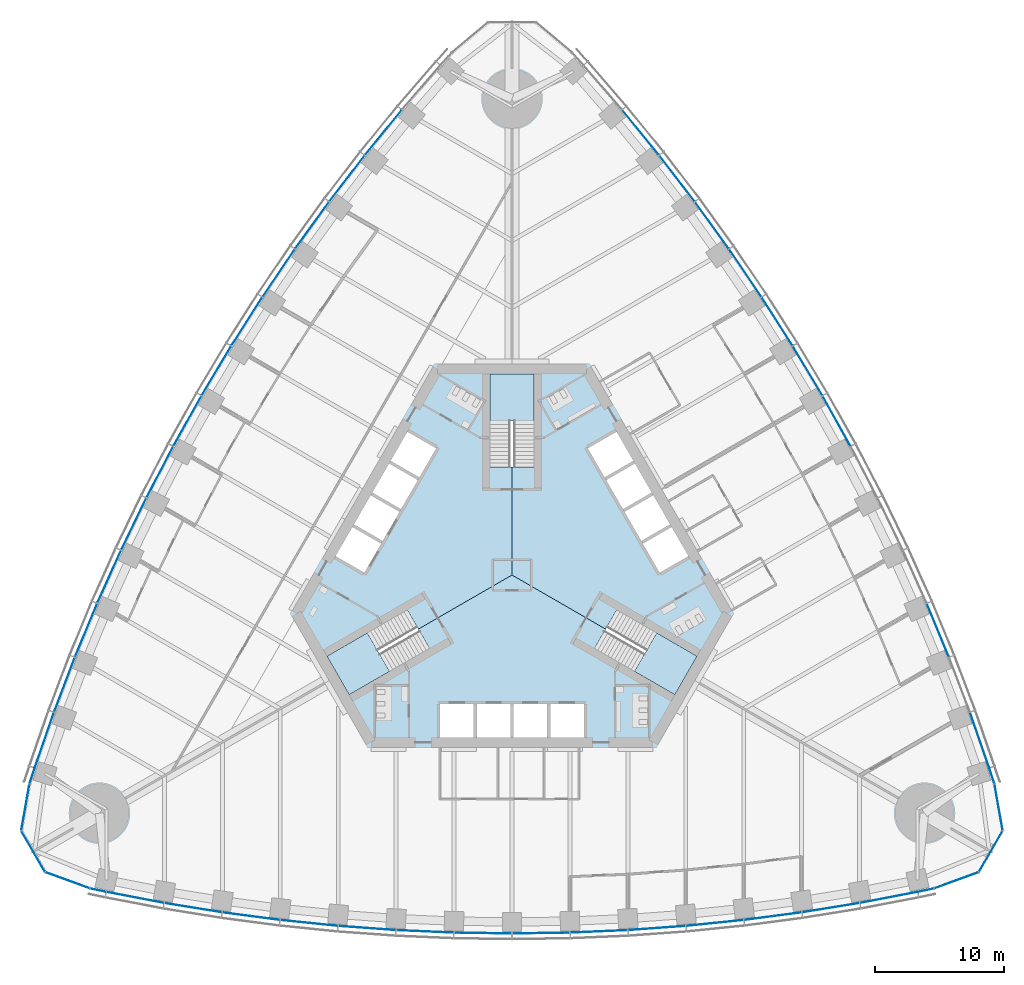
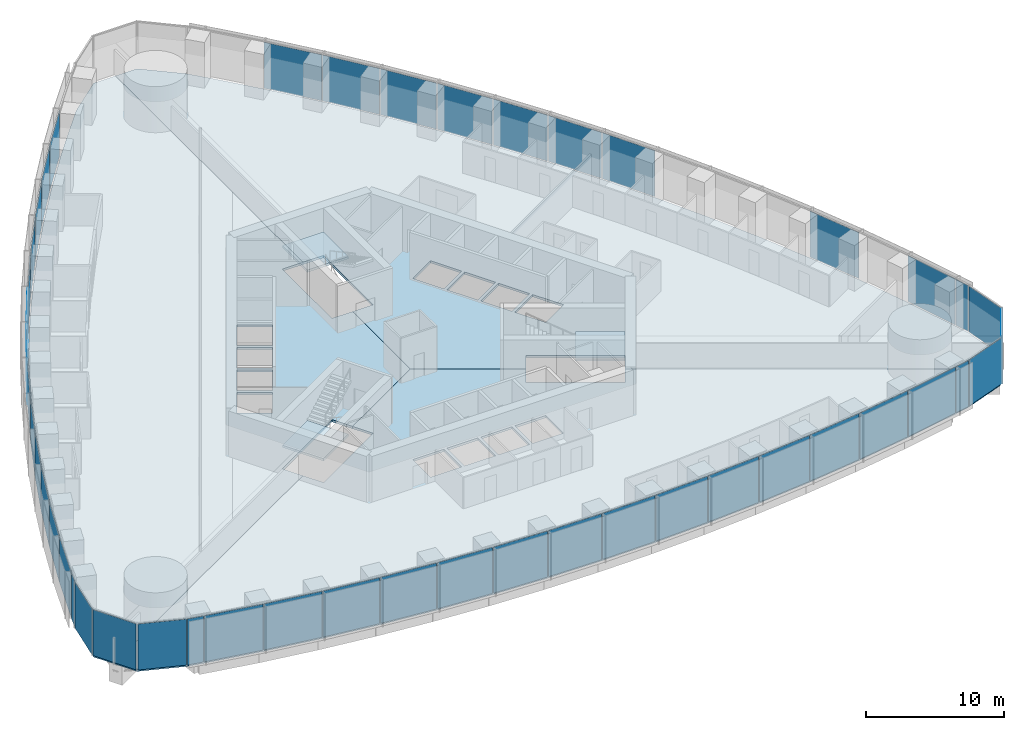
# One storey, part 8 of 18: 46 plates, 6 slabs, 8 elements without a shape of their own.
"""IFC4 building model written with IfcOpenShell, lengths in metres."""

import ifcopenshell
import ifcopenshell.guid

model = None  # the IFC model being written
_history = None  # IfcOwnerHistory: only IFC2X3 demands one
_inside = {}  # id of a spatial element -> (the spatial element, [elements in it])
_under = {}  # id of a project, library or spatial element -> (it, [spatial elements below it])
_declared = {}  # id of a project -> (the project, [libraries it declares])
_typed = {}  # id of a type object -> (the type object, [elements of that type])
_made_of = {}  # id of a material, layer set ... -> (it, [elements and type objects made of it])


def new_model(schema):
    """Start an empty IFC model of exactly this schema.

    Asked for "IFC4X3", IfcOpenShell would pick the latest addendum, in which some entities
    have other attributes; the version numbers below select the first issue.
    IFC2X3 requires an IfcOwnerHistory on every rooted entity: one is made here for all.
    """
    global model, _history
    if schema == "IFC4X3":
        model = ifcopenshell.file(schema_version=(4, 3, 0, 0))
    else:
        model = ifcopenshell.file(schema=schema)
    _inside.clear()
    _under.clear()
    _declared.clear()
    _typed.clear()
    _made_of.clear()
    _history = None
    if model.schema == "IFC2X3":
        org = make("IfcOrganization", Name="unknown")
        user = make(
            "IfcPersonAndOrganization",
            ThePerson=make("IfcPerson", FamilyName="unknown"),
            TheOrganization=org,
        )
        app = make(
            "IfcApplication",
            ApplicationDeveloper=org,
            Version="unknown",
            ApplicationFullName="unknown",
            ApplicationIdentifier="unknown",
        )
        _history = make(
            "IfcOwnerHistory",
            OwningUser=user,
            OwningApplication=app,
            ChangeAction="ADDED",
            CreationDate=0,
        )
    return model


def make(cls, **values):
    """One entity of the class cls with the attributes given. An attribute that is None is left unset."""
    return model.create_entity(
        cls, **{name: value for name, value in values.items() if value is not None}
    )


def rooted(cls, **values):
    """An entity with a GlobalId (a new one), such as an element, a storey or a relation."""
    return make(cls, GlobalId=ifcopenshell.guid.new(), OwnerHistory=_history, **values)


def si_unit(unit_type, name, prefix=None):
    """IfcSIUnit, for example si_unit("LENGTHUNIT", "METRE", prefix="MILLI")."""
    return make("IfcSIUnit", UnitType=unit_type, Prefix=prefix, Name=name)


def assignment(units):
    """IfcUnitAssignment: the units of a project."""
    return None if units is None else make("IfcUnitAssignment", Units=units)


def point(xyz):
    """IfcCartesianPoint."""
    return None if xyz is None else make("IfcCartesianPoint", Coordinates=xyz)


def direction(xyz):
    """IfcDirection."""
    return None if xyz is None else make("IfcDirection", DirectionRatios=xyz)


def frame(location, z_axis=None, x_axis=None):
    """IfcAxis2Placement3D, a coordinate frame: its origin and axes. An axis left out is left unset."""
    return make(
        "IfcAxis2Placement3D",
        Location=point(location),
        Axis=direction(z_axis),
        RefDirection=direction(x_axis),
    )


def frame_2d(location, x_axis=None):
    """IfcAxis2Placement2D, a coordinate frame in the plane: its origin and x axis."""
    return make(
        "IfcAxis2Placement2D", Location=point(location), RefDirection=direction(x_axis)
    )


def origin():
    """The frame at (0, 0, 0) with its axes left unset."""
    return frame((0.0, 0.0, 0.0))


def origin_2d():
    """The frame at (0, 0) in the plane with its x axis left unset."""
    return frame_2d((0.0, 0.0))


def place(relative_to, where):
    """IfcLocalPlacement: puts the frame where relative to a parent placement (None: the world)."""
    return make(
        "IfcLocalPlacement", PlacementRelTo=relative_to, RelativePlacement=where
    )


def context(
    kind, dimensions, precision=None, world=None, true_north=None, identifier=None
):
    """IfcGeometricRepresentationContext, for example the 3D "Model" context."""
    return make(
        "IfcGeometricRepresentationContext",
        ContextIdentifier=identifier,
        ContextType=kind,
        CoordinateSpaceDimension=dimensions,
        Precision=precision,
        WorldCoordinateSystem=world,
        TrueNorth=true_north,
    )


def subcontext(parent, identifier, kind, view, scale=None):
    """IfcGeometricRepresentationSubContext, for example "Body" below "Model"."""
    return make(
        "IfcGeometricRepresentationSubContext",
        ContextIdentifier=identifier,
        ContextType=kind,
        ParentContext=parent,
        TargetScale=scale,
        TargetView=view,
    )


def project(units=None, contexts=None):
    """IfcProject with its units and contexts."""
    return rooted(
        "IfcProject",
        Name="project",
        RepresentationContexts=contexts,
        UnitsInContext=assignment(units),
    )


def spatial(cls, under=None, at=None, **own):
    """A site, building, storey or space (cls), placed at a placement, below another one or the project."""
    s = rooted(cls, ObjectPlacement=at, **own)
    if under is not None:
        _under.setdefault(under.id(), (under, []))[1].append(s)
    return s


def polyline(points):
    """IfcPolyline through the points."""
    return make("IfcPolyline", Points=[point(p) for p in points])


def profile(cls, at=None, kind="AREA", **sizes):
    """A parametric profile (cls). Its sizes go by their IFC names, for example OverallWidth=200.0."""
    return make(cls, ProfileType=kind, Position=at, **sizes)


def rectangle(**sizes):
    """IfcRectangleProfileDef."""
    return profile("IfcRectangleProfileDef", **sizes)


def outline(outer, holes=None, kind="AREA"):
    """IfcArbitraryClosedProfileDef: a profile drawn as a closed curve; with holes, ...WithVoids."""
    if holes is None:
        return make("IfcArbitraryClosedProfileDef", ProfileType=kind, OuterCurve=outer)
    return make(
        "IfcArbitraryProfileDefWithVoids",
        ProfileType=kind,
        OuterCurve=outer,
        InnerCurves=holes,
    )


def extrude(swept, where, along, depth):
    """IfcExtrudedAreaSolid: the profile swept, set in the frame where, extruded along a direction by depth."""
    return make(
        "IfcExtrudedAreaSolid",
        SweptArea=swept,
        Position=where,
        ExtrudedDirection=direction(along),
        Depth=depth,
    )


def shape(context_of_items, identifier, shape_type, items):
    """IfcShapeRepresentation: the items that make up one representation, for example the "Body"."""
    return make(
        "IfcShapeRepresentation",
        ContextOfItems=context_of_items,
        RepresentationIdentifier=identifier,
        RepresentationType=shape_type,
        Items=items,
    )


def material(Name=None, Category=None):
    """IfcMaterial."""
    return make("IfcMaterial", Name=Name, Category=Category)


def layer(
    of_material, thickness, ventilated=None, Name=None, Category=None, Priority=None
):
    """IfcMaterialLayer: one layer of a wall or slab, of a material (None: an air gap)."""
    return make(
        "IfcMaterialLayer",
        Material=of_material,
        LayerThickness=thickness,
        IsVentilated=ventilated,
        Name=Name,
        Category=Category,
        Priority=Priority,
    )


def layer_set(layers, Name=None):
    """IfcMaterialLayerSet."""
    return make("IfcMaterialLayerSet", MaterialLayers=layers, LayerSetName=Name)


def made_of(thing, what):
    """Note that an element or type object is made of a material, layer set ...; save() writes the relation."""
    if what is not None:
        _made_of.setdefault(what.id(), (what, []))[1].append(thing)
    return thing


def type_object(cls, material=None, **own):
    """A type object (cls), such as IfcWallType, which elements share."""
    return made_of(rooted(cls, **own), material)


def element(
    cls,
    number,
    at=None,
    inside=None,
    cuts=None,
    type_object=None,
    material=None,
    context=None,
    identifier="Body",
    shape_type=None,
    held_by="IfcProductDefinitionShape",
    body=None,
    shapes=None,
    **own,
):
    """One element of the class cls, such as IfcWall. Its Tag is "e" and its number.

    at: its placement. inside: the storey or other place that contains it. cuts: it is an
    opening in that element (IfcRelVoidsElement). A single representation is given by context,
    identifier, shape_type and body (its items); several are given by shapes. held_by: the class
    of the entity that holds the representations. save() writes the other relations.
    """
    e = rooted(cls, Tag="e%d" % number, ObjectPlacement=at, **own)
    if body is not None:
        shapes = [shape(context, identifier, shape_type, body)]
    if shapes is not None:
        e.Representation = make(held_by, Representations=shapes)
    if inside is not None:
        _inside.setdefault(inside.id(), (inside, []))[1].append(e)
    if cuts is not None:
        rooted(
            "IfcRelVoidsElement", RelatingBuildingElement=cuts, RelatedOpeningElement=e
        )
    if type_object is not None:
        _typed.setdefault(type_object.id(), (type_object, []))[1].append(e)
    return made_of(e, material)


def aggregate(whole, parts):
    """IfcRelAggregates: a whole, such as a stair, and the parts it consists of."""
    return rooted("IfcRelAggregates", RelatingObject=whole, RelatedObjects=parts)


def save(model, path):
    """Write the relations noted so far, then the file.

    IfcRelAggregates (storeys below a building ...), IfcRelContainedInSpatialStructure (elements
    in a storey), IfcRelDefinesByType, IfcRelAssociatesMaterial and IfcRelDeclares: one each for
    every whole, place, type object, material and project.
    """
    for whole, parts in _under.values():
        aggregate(whole, parts)
    for where, things in _inside.values():
        rooted(
            "IfcRelContainedInSpatialStructure",
            RelatedElements=things,
            RelatingStructure=where,
        )
    for kind, things in _typed.values():
        rooted("IfcRelDefinesByType", RelatedObjects=things, RelatingType=kind)
    for what, things in _made_of.values():
        rooted("IfcRelAssociatesMaterial", RelatedObjects=things, RelatingMaterial=what)
    for by, libraries in _declared.values():
        rooted("IfcRelDeclares", RelatingContext=by, RelatedDefinitions=libraries)
    model.write(path)


model = new_model("IFC4")

# Units and contexts
model_context = context("Model", 3, precision=1e-05, world=origin(), true_north=direction((0.0, 1.0)))
body_context = subcontext(model_context, "Body", "Model", "MODEL_VIEW")
ifc_project = project(units=[si_unit("LENGTHUNIT", "METRE"), si_unit("AREAUNIT", "SQUARE_METRE"), si_unit("VOLUMEUNIT", "CUBIC_METRE"), si_unit("PLANEANGLEUNIT", "RADIAN"), si_unit("MASSUNIT", "GRAM", prefix="KILO")], contexts=[model_context])

# Site, building, storey
site_placement = place(None, origin())
site = spatial("IfcSite", under=ifc_project, at=site_placement, CompositionType="ELEMENT")
building_placement = place(site_placement, origin())
building = spatial("IfcBuilding", under=site, at=building_placement, Name="Trefoil Bronze Tower", CompositionType="ELEMENT")
storey_placement = place(building_placement, frame((0.0, 0.0, 50.10009765625)))
storey = spatial("IfcBuildingStorey", under=building, at=storey_placement, Name="L11", CompositionType="ELEMENT", Elevation=50.10009765625)

# Curtain wall, plates
ifc_material_1 = material(Name="Tinted solar-control glass", Category="glass")
curtain_wall_type_1 = type_object("IfcCurtainWallType", Name="Bronze office curtain wall", PredefinedType="USERDEFINED", material=ifc_material_1)
curtain_wall_1_placement = place(storey_placement, origin())
curtain_wall_1 = element("IfcCurtainWall", 1, at=curtain_wall_1_placement, inside=storey, type_object=curtain_wall_type_1, Name="CW-A L11 F1", ObjectType="CURTAIN WALL", PredefinedType="USERDEFINED")
ifc_material_2 = material(Name="Tinted solar-control glass", Category="glass")
ifc_layer_1 = layer(ifc_material_2, 0.030029296875)
ifc_layer_set_1 = layer_set([ifc_layer_1], Name="Bronze office curtain wall glass panel")
plate_type_1 = type_object("IfcPlateType", Name="Bronze office curtain wall glass panel", PredefinedType="CURTAIN_PANEL", material=ifc_layer_set_1)
plate_1_placement = place(storey_placement, frame((-32.15185546875, -24.480224609375, -0.000244140625), z_axis=(0.0, 0.0, 1.0), x_axis=(0.978302717041, -0.207180582657, 0.0)))
plate_1 = element("IfcPlate", 2, at=plate_1_placement, type_object=plate_type_1, Name="CW-A L11 F1 panel 1", PredefinedType="CURTAIN_PANEL", context=body_context, shape_type="SweptSolid", body=[
    extrude(rectangle(XDim=1.21044921875, YDim=0.030029296875, at=origin_2d()), origin(), (0.0, 0.0, 1.0), 4.080078125),
])
plate_2_placement = place(storey_placement, frame((-29.268798828125, -25.04638671875, -0.000244140625), z_axis=(0.0, 0.0, 1.0), x_axis=(0.982049823817, -0.188621694249, 0.0)))
plate_2 = element("IfcPlate", 3, at=plate_2_placement, type_object=plate_type_1, Name="CW-A L11 F1 panel 2", PredefinedType="CURTAIN_PANEL", context=body_context, shape_type="SweptSolid", body=[
    extrude(rectangle(XDim=4.502197265625, YDim=0.030029296875, at=origin_2d()), origin(), (0.0, 0.0, 1.0), 4.080078125),
])
plate_3_placement = place(storey_placement, frame((-24.765869140625, -25.8427734375, -0.000244140625), z_axis=(0.0, 0.0, 1.0), x_axis=(0.987181315145, -0.159602791421, 0.0)))
plate_3 = element("IfcPlate", 4, at=plate_3_placement, type_object=plate_type_1, Name="CW-A L11 F1 panel 3", PredefinedType="CURTAIN_PANEL", context=body_context, shape_type="SweptSolid", body=[
    extrude(rectangle(XDim=4.478515625, YDim=0.030029296875, at=origin_2d()), origin(), (0.0, 0.0, 1.0), 4.080078125),
])
plate_4_placement = place(storey_placement, frame((-20.262939453125, -26.50341796875, -0.000244140625), z_axis=(0.0, 0.0, 1.0), x_axis=(0.991437251591, -0.130583981243, 0.0)))
plate_4 = element("IfcPlate", 5, at=plate_4_placement, type_object=plate_type_1, Name="CW-A L11 F1 panel 4", PredefinedType="CURTAIN_PANEL", context=body_context, shape_type="SweptSolid", body=[
    extrude(rectangle(XDim=4.458984375, YDim=0.030029296875, at=origin_2d()), origin(), (0.0, 0.0, 1.0), 4.080078125),
])
plate_5_placement = place(storey_placement, frame((-15.76025390625, -27.02978515625, -0.000244140625), z_axis=(0.0, 0.0, 1.0), x_axis=(0.994828880293, -0.101565244717, 0.0)))
plate_5 = element("IfcPlate", 6, at=plate_5_placement, type_object=plate_type_1, Name="CW-A L11 F1 panel 5", PredefinedType="CURTAIN_PANEL", context=body_context, shape_type="SweptSolid", body=[
    extrude(rectangle(XDim=4.443359375, YDim=0.030029296875, at=origin_2d()), origin(), (0.0, 0.0, 1.0), 4.080078125),
])
plate_6_placement = place(storey_placement, frame((-11.25732421875, -27.42333984375, -0.000244140625), z_axis=(0.0, 0.0, 1.0), x_axis=(0.99736502647, -0.072546564177, 0.0)))
plate_6 = element("IfcPlate", 7, at=plate_6_placement, type_object=plate_type_1, Name="CW-A L11 F1 panel 6", PredefinedType="CURTAIN_PANEL", context=body_context, shape_type="SweptSolid", body=[
    extrude(rectangle(XDim=4.431884765625, YDim=0.030029296875, at=origin_2d()), origin(), (0.0, 0.0, 1.0), 4.080078125),
])
plate_7_placement = place(storey_placement, frame((-6.75439453125, -27.685302734375, -0.000244140625), z_axis=(0.0, 0.0, 1.0), x_axis=(0.999052210809, -0.043527922969, 0.0)))
plate_7 = element("IfcPlate", 8, at=plate_7_placement, type_object=plate_type_1, Name="CW-A L11 F1 panel 7", PredefinedType="CURTAIN_PANEL", context=body_context, shape_type="SweptSolid", body=[
    extrude(rectangle(XDim=4.42431640625, YDim=0.030029296875, at=origin_2d()), origin(), (0.0, 0.0, 1.0), 4.080078125),
])
plate_8_placement = place(storey_placement, frame((-2.25146484375, -27.816162109375, -0.000244140625), z_axis=(0.0, 0.0, 1.0), x_axis=(0.999894734493, -0.014509305083, 0.0)))
plate_8 = element("IfcPlate", 9, at=plate_8_placement, type_object=plate_type_1, Name="CW-A L11 F1 panel 8", PredefinedType="CURTAIN_PANEL", context=body_context, shape_type="SweptSolid", body=[
    extrude(rectangle(XDim=4.42041015625, YDim=0.030029296875, at=origin_2d()), origin(), (0.0, 0.0, 1.0), 4.080078125),
])
plate_9_placement = place(storey_placement, frame((2.25146484375, -27.816162109375, -0.000244140625), z_axis=(0.0, 0.0, 1.0), x_axis=(0.999894734493, 0.014509305083, 0.0)))
plate_9 = element("IfcPlate", 10, at=plate_9_placement, type_object=plate_type_1, Name="CW-A L11 F1 panel 9", PredefinedType="CURTAIN_PANEL", context=body_context, shape_type="SweptSolid", body=[
    extrude(rectangle(XDim=4.42041015625, YDim=0.030029296875, at=origin_2d()), origin(), (0.0, 0.0, 1.0), 4.080078125),
])
plate_10_placement = place(storey_placement, frame((6.75439453125, -27.685302734375, -0.000244140625), z_axis=(0.0, 0.0, 1.0), x_axis=(0.999052210809, 0.043527922969, 0.0)))
plate_10 = element("IfcPlate", 11, at=plate_10_placement, type_object=plate_type_1, Name="CW-A L11 F1 panel 10", PredefinedType="CURTAIN_PANEL", context=body_context, shape_type="SweptSolid", body=[
    extrude(rectangle(XDim=4.42431640625, YDim=0.030029296875, at=origin_2d()), origin(), (0.0, 0.0, 1.0), 4.080078125),
])
plate_11_placement = place(storey_placement, frame((11.25732421875, -27.42333984375, -0.000244140625), z_axis=(0.0, 0.0, 1.0), x_axis=(0.99736502647, 0.072546564177, 0.0)))
plate_11 = element("IfcPlate", 12, at=plate_11_placement, type_object=plate_type_1, Name="CW-A L11 F1 panel 11", PredefinedType="CURTAIN_PANEL", context=body_context, shape_type="SweptSolid", body=[
    extrude(rectangle(XDim=4.431884765625, YDim=0.030029296875, at=origin_2d()), origin(), (0.0, 0.0, 1.0), 4.080078125),
])
plate_12_placement = place(storey_placement, frame((15.76025390625, -27.02978515625, -0.000244140625), z_axis=(0.0, 0.0, 1.0), x_axis=(0.994828880293, 0.101565244717, 0.0)))
plate_12 = element("IfcPlate", 13, at=plate_12_placement, type_object=plate_type_1, Name="CW-A L11 F1 panel 12", PredefinedType="CURTAIN_PANEL", context=body_context, shape_type="SweptSolid", body=[
    extrude(rectangle(XDim=4.443359375, YDim=0.030029296875, at=origin_2d()), origin(), (0.0, 0.0, 1.0), 4.080078125),
])
plate_13_placement = place(storey_placement, frame((20.262939453125, -26.50341796875, -0.000244140625), z_axis=(0.0, 0.0, 1.0), x_axis=(0.991437251591, 0.130583981243, 0.0)))
plate_13 = element("IfcPlate", 14, at=plate_13_placement, type_object=plate_type_1, Name="CW-A L11 F1 panel 13", PredefinedType="CURTAIN_PANEL", context=body_context, shape_type="SweptSolid", body=[
    extrude(rectangle(XDim=4.458984375, YDim=0.030029296875, at=origin_2d()), origin(), (0.0, 0.0, 1.0), 4.080078125),
])
plate_14_placement = place(storey_placement, frame((24.765869140625, -25.8427734375, -0.000244140625), z_axis=(0.0, 0.0, 1.0), x_axis=(0.987181315145, 0.159602791421, 0.0)))
plate_14 = element("IfcPlate", 15, at=plate_14_placement, type_object=plate_type_1, Name="CW-A L11 F1 panel 14", PredefinedType="CURTAIN_PANEL", context=body_context, shape_type="SweptSolid", body=[
    extrude(rectangle(XDim=4.478515625, YDim=0.030029296875, at=origin_2d()), origin(), (0.0, 0.0, 1.0), 4.080078125),
])
plate_15_placement = place(storey_placement, frame((29.268798828125, -25.04638671875, -0.000244140625), z_axis=(0.0, 0.0, 1.0), x_axis=(0.982049823817, 0.188621694249, 0.0)))
plate_15 = element("IfcPlate", 16, at=plate_15_placement, type_object=plate_type_1, Name="CW-A L11 F1 panel 15", PredefinedType="CURTAIN_PANEL", context=body_context, shape_type="SweptSolid", body=[
    extrude(rectangle(XDim=4.502197265625, YDim=0.030029296875, at=origin_2d()), origin(), (0.0, 0.0, 1.0), 4.080078125),
])
plate_16_placement = place(storey_placement, frame((32.15185546875, -24.480224609375, -0.000244140625), z_axis=(0.0, 0.0, 1.0), x_axis=(0.978302717041, 0.207180582657, 0.0)))
plate_16 = element("IfcPlate", 17, at=plate_16_placement, type_object=plate_type_1, Name="CW-A L11 F1 panel 16", PredefinedType="CURTAIN_PANEL", context=body_context, shape_type="SweptSolid", body=[
    extrude(rectangle(XDim=1.21044921875, YDim=0.030029296875, at=origin_2d()), origin(), (0.0, 0.0, 1.0), 4.080078125),
])
aggregate(curtain_wall_1, [plate_1, plate_2, plate_3, plate_4, plate_5, plate_6, plate_7, plate_8, plate_9, plate_10, plate_11, plate_12, plate_13, plate_14, plate_15, plate_16])

curtain_wall_2_placement = place(storey_placement, origin())
curtain_wall_2 = element("IfcCurtainWall", 18, at=curtain_wall_2_placement, inside=storey, type_object=curtain_wall_type_1, Name="CW-A L11 F2", ObjectType="CURTAIN WALL", PredefinedType="USERDEFINED")
plate_17_placement = place(storey_placement, frame((37.2763671875, -15.604248046875, -0.000244140625), z_axis=(0.0, 0.0, 1.0), x_axis=(-0.309727710769, 0.950825296877, 0.0)))
plate_17 = element("IfcPlate", 19, at=plate_17_placement, type_object=plate_type_1, Name="CW-A L11 F2 panel 1", PredefinedType="CURTAIN_PANEL", context=body_context, shape_type="SweptSolid", body=[
    extrude(rectangle(XDim=1.21044921875, YDim=0.030029296875, at=origin_2d()), origin(), (0.0, 0.0, 1.0), 4.080078125),
])
plate_18_placement = place(storey_placement, frame((36.3251953125, -12.824462890625, -0.000244140625), z_axis=(0.0, 0.0, 1.0), x_axis=(-0.327673732984, 0.944790942332, 0.0)))
plate_18 = element("IfcPlate", 20, at=plate_18_placement, type_object=plate_type_1, Name="CW-A L11 F2 panel 2", PredefinedType="CURTAIN_PANEL", context=body_context, shape_type="SweptSolid", body=[
    extrude(rectangle(XDim=4.502197265625, YDim=0.030029296875, at=origin_2d()), origin(), (0.0, 0.0, 1.0), 4.080078125),
])
plate_19_placement = place(storey_placement, frame((33.084228515625, -4.296630859375, -0.000244140625), z_axis=(0.0, 0.0, 1.0), x_axis=(-0.382629580712, 0.923901836758, 0.0)))
plate_19 = element("IfcPlate", 21, at=plate_19_placement, type_object=plate_type_1, Name="CW-A L11 F2 panel 4", PredefinedType="CURTAIN_PANEL", context=body_context, shape_type="SweptSolid", body=[
    extrude(rectangle(XDim=4.458984375, YDim=0.030029296875, at=origin_2d()), origin(), (0.0, 0.0, 1.0), 4.080078125),
])
plate_20_placement = place(storey_placement, frame((25.215087890625, 11.958251953125, -0.000244140625), z_axis=(0.0, 0.0, 1.0), x_axis=(-0.487381940453, 0.873188893722, 0.0)))
plate_20 = element("IfcPlate", 22, at=plate_20_placement, type_object=plate_type_1, Name="CW-A L11 F2 panel 8", PredefinedType="CURTAIN_PANEL", context=body_context, shape_type="SweptSolid", body=[
    extrude(rectangle(XDim=4.42041015625, YDim=0.030029296875, at=origin_2d()), origin(), (0.0, 0.0, 1.0), 4.080078125),
])
plate_21_placement = place(storey_placement, frame((22.963623046875, 15.85791015625, -0.000244140625), z_axis=(0.0, 0.0, 1.0), x_axis=(-0.51251279404, 0.858679588639, 0.0)))
plate_21 = element("IfcPlate", 23, at=plate_21_placement, type_object=plate_type_1, Name="CW-A L11 F2 panel 9", PredefinedType="CURTAIN_PANEL", context=body_context, shape_type="SweptSolid", body=[
    extrude(rectangle(XDim=4.42041015625, YDim=0.030029296875, at=origin_2d()), origin(), (0.0, 0.0, 1.0), 4.080078125),
])
plate_22_placement = place(storey_placement, frame((20.598876953125, 19.692138671875, -0.000244140625), z_axis=(0.0, 0.0, 1.0), x_axis=(-0.537222392469, 0.843440632783, 0.0)))
plate_22 = element("IfcPlate", 24, at=plate_22_placement, type_object=plate_type_1, Name="CW-A L11 F2 panel 10", PredefinedType="CURTAIN_PANEL", context=body_context, shape_type="SweptSolid", body=[
    extrude(rectangle(XDim=4.42431640625, YDim=0.030029296875, at=origin_2d()), origin(), (0.0, 0.0, 1.0), 4.080078125),
])
plate_23_placement = place(storey_placement, frame((18.120849609375, 23.460693359375, -0.000244140625), z_axis=(0.0, 0.0, 1.0), x_axis=(-0.56150968077, 0.827470167681, 0.0)))
plate_23 = element("IfcPlate", 25, at=plate_23_placement, type_object=plate_type_1, Name="CW-A L11 F2 panel 11", PredefinedType="CURTAIN_PANEL", context=body_context, shape_type="SweptSolid", body=[
    extrude(rectangle(XDim=4.431884765625, YDim=0.030029296875, at=origin_2d()), origin(), (0.0, 0.0, 1.0), 4.080078125),
])
plate_24_placement = place(storey_placement, frame((15.5283203125, 27.16357421875, -0.000244140625), z_axis=(0.0, 0.0, 1.0), x_axis=(-0.585372522213, 0.810764460394, 0.0)))
plate_24 = element("IfcPlate", 26, at=plate_24_placement, type_object=plate_type_1, Name="CW-A L11 F2 panel 12", PredefinedType="CURTAIN_PANEL", context=body_context, shape_type="SweptSolid", body=[
    extrude(rectangle(XDim=4.443359375, YDim=0.030029296875, at=origin_2d()), origin(), (0.0, 0.0, 1.0), 4.080078125),
])
plate_25_placement = place(storey_placement, frame((12.821044921875, 30.800048828125, -0.000244140625), z_axis=(0.0, 0.0, 1.0), x_axis=(-0.608807670879, 0.793317855515, 0.0)))
plate_25 = element("IfcPlate", 27, at=plate_25_placement, type_object=plate_type_1, Name="CW-A L11 F2 panel 13", PredefinedType="CURTAIN_PANEL", context=body_context, shape_type="SweptSolid", body=[
    extrude(rectangle(XDim=4.458984375, YDim=0.030029296875, at=origin_2d()), origin(), (0.0, 0.0, 1.0), 4.080078125),
])
plate_26_placement = place(storey_placement, frame((9.99755859375, 34.369384765625, -0.000244140625), z_axis=(0.0, 0.0, 1.0), x_axis=(-0.631810729457, 0.775122701346, 0.0)))
plate_26 = element("IfcPlate", 28, at=plate_26_placement, type_object=plate_type_1, Name="CW-A L11 F2 panel 14", PredefinedType="CURTAIN_PANEL", context=body_context, shape_type="SweptSolid", body=[
    extrude(rectangle(XDim=4.478515625, YDim=0.030029296875, at=origin_2d()), origin(), (0.0, 0.0, 1.0), 4.080078125),
])
aggregate(curtain_wall_2, [plate_17, plate_18, plate_19, plate_20, plate_21, plate_22, plate_23, plate_24, plate_25, plate_26])

curtain_wall_3_placement = place(storey_placement, origin())
curtain_wall_3 = element("IfcCurtainWall", 29, at=curtain_wall_3_placement, inside=storey, type_object=curtain_wall_type_1, Name="CW-A L11 F3", ObjectType="CURTAIN WALL", PredefinedType="USERDEFINED")
plate_27_placement = place(storey_placement, frame((-9.99755859375, 34.369384765625, -0.000244140625), z_axis=(0.0, 0.0, 1.0), x_axis=(-0.631810729457, -0.775122701346, 0.0)))
plate_27 = element("IfcPlate", 30, at=plate_27_placement, type_object=plate_type_1, Name="CW-A L11 F3 panel 3", PredefinedType="CURTAIN_PANEL", context=body_context, shape_type="SweptSolid", body=[
    extrude(rectangle(XDim=4.478515625, YDim=0.030029296875, at=origin_2d()), origin(), (0.0, 0.0, 1.0), 4.080078125),
])
plate_28_placement = place(storey_placement, frame((-12.821044921875, 30.800048828125, -0.000244140625), z_axis=(0.0, 0.0, 1.0), x_axis=(-0.608807670879, -0.793317855515, 0.0)))
plate_28 = element("IfcPlate", 31, at=plate_28_placement, type_object=plate_type_1, Name="CW-A L11 F3 panel 4", PredefinedType="CURTAIN_PANEL", context=body_context, shape_type="SweptSolid", body=[
    extrude(rectangle(XDim=4.458984375, YDim=0.030029296875, at=origin_2d()), origin(), (0.0, 0.0, 1.0), 4.080078125),
])
plate_29_placement = place(storey_placement, frame((-15.5283203125, 27.16357421875, -0.000244140625), z_axis=(0.0, 0.0, 1.0), x_axis=(-0.585372522213, -0.810764460394, 0.0)))
plate_29 = element("IfcPlate", 32, at=plate_29_placement, type_object=plate_type_1, Name="CW-A L11 F3 panel 5", PredefinedType="CURTAIN_PANEL", context=body_context, shape_type="SweptSolid", body=[
    extrude(rectangle(XDim=4.443359375, YDim=0.030029296875, at=origin_2d()), origin(), (0.0, 0.0, 1.0), 4.080078125),
])
plate_30_placement = place(storey_placement, frame((-18.120849609375, 23.460693359375, -0.000244140625), z_axis=(0.0, 0.0, 1.0), x_axis=(-0.56150968077, -0.827470167681, 0.0)))
plate_30 = element("IfcPlate", 33, at=plate_30_placement, type_object=plate_type_1, Name="CW-A L11 F3 panel 6", PredefinedType="CURTAIN_PANEL", context=body_context, shape_type="SweptSolid", body=[
    extrude(rectangle(XDim=4.431884765625, YDim=0.030029296875, at=origin_2d()), origin(), (0.0, 0.0, 1.0), 4.080078125),
])
plate_31_placement = place(storey_placement, frame((-20.598876953125, 19.692138671875, -0.000244140625), z_axis=(0.0, 0.0, 1.0), x_axis=(-0.537222392469, -0.843440632783, 0.0)))
plate_31 = element("IfcPlate", 34, at=plate_31_placement, type_object=plate_type_1, Name="CW-A L11 F3 panel 7", PredefinedType="CURTAIN_PANEL", context=body_context, shape_type="SweptSolid", body=[
    extrude(rectangle(XDim=4.42431640625, YDim=0.030029296875, at=origin_2d()), origin(), (0.0, 0.0, 1.0), 4.080078125),
])
plate_32_placement = place(storey_placement, frame((-22.963623046875, 15.85791015625, -0.000244140625), z_axis=(0.0, 0.0, 1.0), x_axis=(-0.51251279404, -0.858679588639, 0.0)))
plate_32 = element("IfcPlate", 35, at=plate_32_placement, type_object=plate_type_1, Name="CW-A L11 F3 panel 8", PredefinedType="CURTAIN_PANEL", context=body_context, shape_type="SweptSolid", body=[
    extrude(rectangle(XDim=4.42041015625, YDim=0.030029296875, at=origin_2d()), origin(), (0.0, 0.0, 1.0), 4.080078125),
])
plate_33_placement = place(storey_placement, frame((-25.215087890625, 11.958251953125, -0.000244140625), z_axis=(0.0, 0.0, 1.0), x_axis=(-0.487381940453, -0.873188893722, 0.0)))
plate_33 = element("IfcPlate", 36, at=plate_33_placement, type_object=plate_type_1, Name="CW-A L11 F3 panel 9", PredefinedType="CURTAIN_PANEL", context=body_context, shape_type="SweptSolid", body=[
    extrude(rectangle(XDim=4.42041015625, YDim=0.030029296875, at=origin_2d()), origin(), (0.0, 0.0, 1.0), 4.080078125),
])
plate_34_placement = place(storey_placement, frame((-27.353271484375, 7.9931640625, -0.000244140625), z_axis=(0.0, 0.0, 1.0), x_axis=(-0.46182981834, -0.886968555752, 0.0)))
plate_34 = element("IfcPlate", 37, at=plate_34_placement, type_object=plate_type_1, Name="CW-A L11 F3 panel 10", PredefinedType="CURTAIN_PANEL", context=body_context, shape_type="SweptSolid", body=[
    extrude(rectangle(XDim=4.42431640625, YDim=0.030029296875, at=origin_2d()), origin(), (0.0, 0.0, 1.0), 4.080078125),
])
plate_35_placement = place(storey_placement, frame((-29.3779296875, 3.962646484375, -0.000244140625), z_axis=(0.0, 0.0, 1.0), x_axis=(-0.4358553457, -0.900016731858, 0.0)))
plate_35 = element("IfcPlate", 38, at=plate_35_placement, type_object=plate_type_1, Name="CW-A L11 F3 panel 11", PredefinedType="CURTAIN_PANEL", context=body_context, shape_type="SweptSolid", body=[
    extrude(rectangle(XDim=4.431884765625, YDim=0.030029296875, at=origin_2d()), origin(), (0.0, 0.0, 1.0), 4.080078125),
])
plate_36_placement = place(storey_placement, frame((-31.28857421875, -0.1337890625, -0.000244140625), z_axis=(0.0, 0.0, 1.0), x_axis=(-0.40945635808, -0.912329705111, 0.0)))
plate_36 = element("IfcPlate", 39, at=plate_36_placement, type_object=plate_type_1, Name="CW-A L11 F3 panel 12", PredefinedType="CURTAIN_PANEL", context=body_context, shape_type="SweptSolid", body=[
    extrude(rectangle(XDim=4.443359375, YDim=0.030029296875, at=origin_2d()), origin(), (0.0, 0.0, 1.0), 4.080078125),
])
plate_37_placement = place(storey_placement, frame((-33.084228515625, -4.296630859375, -0.000244140625), z_axis=(0.0, 0.0, 1.0), x_axis=(-0.382629580712, -0.923901836758, 0.0)))
plate_37 = element("IfcPlate", 40, at=plate_37_placement, type_object=plate_type_1, Name="CW-A L11 F3 panel 13", PredefinedType="CURTAIN_PANEL", context=body_context, shape_type="SweptSolid", body=[
    extrude(rectangle(XDim=4.458984375, YDim=0.030029296875, at=origin_2d()), origin(), (0.0, 0.0, 1.0), 4.080078125),
])
plate_38_placement = place(storey_placement, frame((-34.763427734375, -8.526611328125, -0.000244140625), z_axis=(0.0, 0.0, 1.0), x_axis=(-0.355370585687, -0.934725492767, 0.0)))
plate_38 = element("IfcPlate", 41, at=plate_38_placement, type_object=plate_type_1, Name="CW-A L11 F3 panel 14", PredefinedType="CURTAIN_PANEL", context=body_context, shape_type="SweptSolid", body=[
    extrude(rectangle(XDim=4.478515625, YDim=0.030029296875, at=origin_2d()), origin(), (0.0, 0.0, 1.0), 4.080078125),
])
plate_39_placement = place(storey_placement, frame((-36.3251953125, -12.824462890625, -0.000244140625), z_axis=(0.0, 0.0, 1.0), x_axis=(-0.327673732984, -0.944790942332, 0.0)))
plate_39 = element("IfcPlate", 42, at=plate_39_placement, type_object=plate_type_1, Name="CW-A L11 F3 panel 15", PredefinedType="CURTAIN_PANEL", context=body_context, shape_type="SweptSolid", body=[
    extrude(rectangle(XDim=4.502197265625, YDim=0.030029296875, at=origin_2d()), origin(), (0.0, 0.0, 1.0), 4.080078125),
])
plate_40_placement = place(storey_placement, frame((-37.2763671875, -15.604248046875, -0.000244140625), z_axis=(0.0, 0.0, 1.0), x_axis=(-0.309727710769, -0.950825296877, 0.0)))
plate_40 = element("IfcPlate", 43, at=plate_40_placement, type_object=plate_type_1, Name="CW-A L11 F3 panel 16", PredefinedType="CURTAIN_PANEL", context=body_context, shape_type="SweptSolid", body=[
    extrude(rectangle(XDim=1.21044921875, YDim=0.030029296875, at=origin_2d()), origin(), (0.0, 0.0, 1.0), 4.080078125),
])
aggregate(curtain_wall_3, [plate_27, plate_28, plate_29, plate_30, plate_31, plate_32, plate_33, plate_34, plate_35, plate_36, plate_37, plate_38, plate_39, plate_40])

ifc_material_3 = material(Name="Tinted solar-control glass", Category="glass")
curtain_wall_type_2 = type_object("IfcCurtainWallType", Name="Bronze rounded corner curtain wall", PredefinedType="USERDEFINED", material=ifc_material_3)
curtain_wall_4_placement = place(storey_placement, origin())
curtain_wall_4 = element("IfcCurtainWall", 44, at=curtain_wall_4_placement, inside=storey, type_object=curtain_wall_type_2, Name="CW-B L11 K1", ObjectType="CURTAIN WALL", PredefinedType="USERDEFINED")
ifc_material_4 = material(Name="Tinted solar-control glass", Category="glass")
ifc_layer_2 = layer(ifc_material_4, 0.030029296875)
ifc_layer_set_2 = layer_set([ifc_layer_2], Name="Bronze rounded corner curtain wall glass panel")
plate_type_2 = type_object("IfcPlateType", Name="Bronze rounded corner curtain wall glass panel", PredefinedType="CURTAIN_PANEL", material=ifc_layer_set_2)
plate_41_placement = place(storey_placement, frame((34.5107421875, -23.71875, -0.000244140625), z_axis=(0.0, 0.0, 1.0), x_axis=(0.939692620786, 0.342020143326, 0.0)))
plate_41 = element("IfcPlate", 45, at=plate_41_placement, type_object=plate_type_2, Name="CW-B L11 K1 panel 1", PredefinedType="CURTAIN_PANEL", context=body_context, shape_type="SweptSolid", body=[
    extrude(rectangle(XDim=3.588134765625, YDim=0.030029296875, at=origin_2d()), origin(), (0.0, 0.0, 1.0), 4.080078125),
])
plate_42_placement = place(storey_placement, frame((37.189208984375, -21.47119140625, -0.000244140625), z_axis=(0.0, 0.0, 1.0), x_axis=(0.5, 0.866025403784, 0.0)))
plate_42 = element("IfcPlate", 46, at=plate_42_placement, type_object=plate_type_2, Name="CW-B L11 K1 panel 2", PredefinedType="CURTAIN_PANEL", context=body_context, shape_type="SweptSolid", body=[
    extrude(rectangle(XDim=3.588134765625, YDim=0.030029296875, at=origin_2d()), origin(), (0.0, 0.0, 1.0), 4.080078125),
])
plate_43_placement = place(storey_placement, frame((37.79638671875, -18.02783203125, -0.000244140625), z_axis=(0.0, 0.0, 1.0), x_axis=(-0.173648177667, 0.984807753012, 0.0)))
plate_43 = element("IfcPlate", 47, at=plate_43_placement, type_object=plate_type_2, Name="CW-B L11 K1 panel 3", PredefinedType="CURTAIN_PANEL", context=body_context, shape_type="SweptSolid", body=[
    extrude(rectangle(XDim=3.588134765625, YDim=0.030029296875, at=origin_2d()), origin(), (0.0, 0.0, 1.0), 4.080078125),
])
aggregate(curtain_wall_4, [plate_41, plate_42, plate_43])

curtain_wall_5_placement = place(storey_placement, origin())
curtain_wall_5 = element("IfcCurtainWall", 48, at=curtain_wall_5_placement, inside=storey, type_object=curtain_wall_type_2, Name="CW-B L11 K3", ObjectType="CURTAIN WALL", PredefinedType="USERDEFINED")
plate_44_placement = place(storey_placement, frame((-37.79638671875, -18.02783203125, -0.000244140625), z_axis=(0.0, 0.0, 1.0), x_axis=(-0.173648177667, -0.984807753012, 0.0)))
plate_44 = element("IfcPlate", 49, at=plate_44_placement, type_object=plate_type_2, Name="CW-B L11 K3 panel 1", PredefinedType="CURTAIN_PANEL", context=body_context, shape_type="SweptSolid", body=[
    extrude(rectangle(XDim=3.588134765625, YDim=0.030029296875, at=origin_2d()), origin(), (0.0, 0.0, 1.0), 4.080078125),
])
plate_45_placement = place(storey_placement, frame((-37.189208984375, -21.47119140625, -0.000244140625), z_axis=(0.0, 0.0, 1.0), x_axis=(0.5, -0.866025403784, 0.0)))
plate_45 = element("IfcPlate", 50, at=plate_45_placement, type_object=plate_type_2, Name="CW-B L11 K3 panel 2", PredefinedType="CURTAIN_PANEL", context=body_context, shape_type="SweptSolid", body=[
    extrude(rectangle(XDim=3.588134765625, YDim=0.030029296875, at=origin_2d()), origin(), (0.0, 0.0, 1.0), 4.080078125),
])
plate_46_placement = place(storey_placement, frame((-34.5107421875, -23.71875, -0.000244140625), z_axis=(0.0, 0.0, 1.0), x_axis=(0.939692620786, -0.342020143326, 0.0)))
plate_46 = element("IfcPlate", 51, at=plate_46_placement, type_object=plate_type_2, Name="CW-B L11 K3 panel 3", PredefinedType="CURTAIN_PANEL", context=body_context, shape_type="SweptSolid", body=[
    extrude(rectangle(XDim=3.588134765625, YDim=0.030029296875, at=origin_2d()), origin(), (0.0, 0.0, 1.0), 4.080078125),
])
aggregate(curtain_wall_5, [plate_44, plate_45, plate_46])

# Slabs
ifc_material_5 = material(Name="Concrete B30", Category="concrete")
ifc_layer_3 = layer(ifc_material_5, 0.199951171875)
ifc_layer_set_3 = layer_set([ifc_layer_3], Name="Floor slab 200")
slab_type_1 = type_object("IfcSlabType", Name="Floor slab 200", PredefinedType="FLOOR", material=ifc_layer_set_3)
slab_1_placement = place(storey_placement, frame((0.0, 0.0, -0.2001953125)))
element("IfcSlab", 52, at=slab_1_placement, inside=storey, type_object=slab_type_1, Name="Floor slab L11 face 1", PredefinedType="FLOOR", context=body_context, shape_type="SweptSolid", body=[
    extrude(outline(polyline([(27.0, -25.38037109375), (22.5, -26.10791015625), (18.0, -26.70068359375), (13.5, -27.159912109375), (9.0, -27.4873046875), (4.5, -27.683349609375), (0.0, -27.748779296875), (-4.5, -27.683349609375), (-9.0, -27.4873046875), (-13.5, -27.159912109375), (-18.0, -26.70068359375), (-22.5, -26.10791015625), (-27.0, -25.38037109375), (-31.5, -24.51611328125), (-32.762451171875, -24.248779296875), (-36.190673828125, -23.0009765625), (-37.1025390625, -21.421142578125), (-13.510009765625, -7.800048828125), (-12.6474609375, -9.2939453125), (-6.412109375, -5.69384765625), (-7.274658203125, -4.199951171875), (0.0, 0.0), (7.274658203125, -4.199951171875), (6.412109375, -5.69384765625), (12.6474609375, -9.2939453125), (13.510009765625, -7.800048828125), (37.1025390625, -21.421142578125), (36.190673828125, -23.0009765625), (32.762451171875, -24.248779296875), (31.5, -24.51611328125), (27.0, -25.38037109375)]), holes=[polyline([(-5.574951171875, -10.02490234375), (-2.97509765625, -10.02490234375), (-2.97509765625, -12.60009765625), (-5.574951171875, -12.60009765625), (-5.574951171875, -10.02490234375)]), polyline([(-2.72509765625, -10.02490234375), (-0.125, -10.02490234375), (-0.125, -12.60009765625), (-2.72509765625, -12.60009765625), (-2.72509765625, -10.02490234375)]), polyline([(0.125, -10.02490234375), (2.72509765625, -10.02490234375), (2.72509765625, -12.60009765625), (0.125, -12.60009765625), (0.125, -10.02490234375)]), polyline([(2.97509765625, -10.02490234375), (5.574951171875, -10.02490234375), (5.574951171875, -12.60009765625), (2.97509765625, -12.60009765625), (2.97509765625, -10.02490234375)])]), origin(), (0.0, 0.0, 1.0), 0.2001953125),
])
slab_2_placement = place(storey_placement, frame((0.0, 0.0, -0.2001953125)))
element("IfcSlab", 53, at=slab_2_placement, inside=storey, type_object=slab_type_1, Name="Floor slab L11 face 2", PredefinedType="FLOOR", context=body_context, shape_type="SweptSolid", body=[
    extrude(outline(polyline([(8.47998046875, 36.07275390625), (11.360107421875, 32.53955078125), (14.123291015625, 28.938720703125), (16.771240234375, 25.271240234375), (19.3046875, 21.537841796875), (21.724609375, 17.73876953125), (24.031005859375, 13.874267578125), (26.224609375, 9.944580078125), (28.3046875, 5.949462890625), (30.271240234375, 1.888671875), (32.123291015625, -2.238037109375), (33.860107421875, -6.431640625), (35.47998046875, -10.6923828125), (36.9814453125, -15.021728515625), (37.381103515625, -16.248779296875), (38.0146484375, -19.841552734375), (37.1025390625, -21.421142578125), (13.510009765625, -7.800048828125), (14.37255859375, -6.30615234375), (8.13720703125, -2.7060546875), (7.274658203125, -4.199951171875), (0.0, 0.0), (0.0, 8.39990234375), (1.72509765625, 8.39990234375), (1.72509765625, 15.60009765625), (0.0, 15.60009765625), (0.0, 42.842529296875), (1.82421875, 42.842529296875), (4.618896484375, 40.497314453125), (5.4814453125, 39.537841796875), (8.47998046875, 36.07275390625)]), holes=[polyline([(11.469482421875, 0.184326171875), (10.16943359375, 2.43603515625), (12.3994140625, 3.7236328125), (13.699462890625, 1.471923828125), (11.469482421875, 0.184326171875)]), polyline([(10.04443359375, 2.652587890625), (8.744384765625, 4.904296875), (10.974365234375, 6.191650390625), (12.2744140625, 3.940185546875), (10.04443359375, 2.652587890625)]), polyline([(8.619384765625, 5.120849609375), (7.3193359375, 7.372314453125), (9.54931640625, 8.659912109375), (10.849365234375, 6.408203125), (8.619384765625, 5.120849609375)]), polyline([(7.1943359375, 7.5888671875), (5.894287109375, 9.840576171875), (8.12451171875, 11.128173828125), (9.42431640625, 8.87646484375), (7.1943359375, 7.5888671875)])]), origin(), (0.0, 0.0, 1.0), 0.2001953125),
])
slab_3_placement = place(storey_placement, frame((0.0, 0.0, -0.2001953125)))
element("IfcSlab", 54, at=slab_3_placement, inside=storey, type_object=slab_type_1, Name="Floor slab L11 face 3", PredefinedType="FLOOR", context=body_context, shape_type="SweptSolid", body=[
    extrude(outline(polyline([(-35.47998046875, -10.6923828125), (-33.860107421875, -6.431640625), (-32.123291015625, -2.238037109375), (-30.271240234375, 1.888671875), (-28.3046875, 5.949462890625), (-26.224609375, 9.944580078125), (-24.031005859375, 13.874267578125), (-21.724609375, 17.73876953125), (-19.3046875, 21.537841796875), (-16.771240234375, 25.271240234375), (-14.123291015625, 28.938720703125), (-11.360107421875, 32.53955078125), (-8.47998046875, 36.07275390625), (-5.4814453125, 39.537841796875), (-4.618896484375, 40.497314453125), (-1.82421875, 42.842529296875), (0.0, 42.842529296875), (0.0, 15.60009765625), (-1.72509765625, 15.60009765625), (-1.72509765625, 8.39990234375), (0.0, 8.39990234375), (0.0, 0.0), (-7.274658203125, -4.199951171875), (-8.13720703125, -2.7060546875), (-14.37255859375, -6.30615234375), (-13.510009765625, -7.800048828125), (-37.1025390625, -21.421142578125), (-38.0146484375, -19.841552734375), (-37.381103515625, -16.248779296875), (-36.9814453125, -15.021728515625), (-35.47998046875, -10.6923828125)]), holes=[polyline([(-5.894287109375, 9.840576171875), (-7.1943359375, 7.5888671875), (-9.42431640625, 8.87646484375), (-8.12451171875, 11.128173828125), (-5.894287109375, 9.840576171875)]), polyline([(-7.3193359375, 7.372314453125), (-8.619384765625, 5.120849609375), (-10.849365234375, 6.408203125), (-9.54931640625, 8.659912109375), (-7.3193359375, 7.372314453125)]), polyline([(-8.744384765625, 4.904296875), (-10.04443359375, 2.652587890625), (-12.2744140625, 3.940185546875), (-10.974365234375, 6.191650390625), (-8.744384765625, 4.904296875)]), polyline([(-10.16943359375, 2.43603515625), (-11.469482421875, 0.184326171875), (-13.699462890625, 1.471923828125), (-12.3994140625, 3.7236328125), (-10.16943359375, 2.43603515625)])]), origin(), (0.0, 0.0, 1.0), 0.2001953125),
])

# Stair, slab
ifc_material_6 = material(Name="Precast concrete B80", Category="concrete")
stair_type = type_object("IfcStairType", Name="Exit stair 26 risers", PredefinedType="HALF_TURN_STAIR", material=ifc_material_6)
stair_1_placement = place(storey_placement, origin())
stair_1 = element("IfcStair", 55, at=stair_1_placement, inside=storey, type_object=stair_type, Name="Stair ST1 L11", PredefinedType="HALF_TURN_STAIR")
ifc_material_7 = material(Name="Concrete B30", Category="concrete")
ifc_layer_4 = layer(ifc_material_7, 0.199951171875)
ifc_layer_set_4 = layer_set([ifc_layer_4], Name="Stair landing 200")
slab_type_2 = type_object("IfcSlabType", Name="Stair landing 200", PredefinedType="LANDING", material=ifc_layer_set_4)
slab_4_placement = place(storey_placement, frame((0.0, 0.0, 1.89990234375)))
slab_4 = element("IfcSlab", 56, at=slab_4_placement, type_object=slab_type_2, Name="ST1 landing 1", PredefinedType="LANDING", context=body_context, shape_type="SweptSolid", body=[
    extrude(outline(polyline([(9.512451171875, -7.48388671875), (12.6474609375, -9.2939453125), (14.37255859375, -6.30615234375), (11.237548828125, -4.49609375), (9.512451171875, -7.48388671875)])), origin(), (0.0, 0.0, 1.0), 0.199951171875),
])
aggregate(stair_1, [slab_4])

stair_2_placement = place(storey_placement, origin())
stair_2 = element("IfcStair", 57, at=stair_2_placement, inside=storey, type_object=stair_type, Name="Stair ST2 L11", PredefinedType="HALF_TURN_STAIR")
slab_5_placement = place(storey_placement, frame((0.0, 0.0, 1.89990234375)))
slab_5 = element("IfcSlab", 58, at=slab_5_placement, type_object=slab_type_2, Name="ST2 landing 1", PredefinedType="LANDING", context=body_context, shape_type="SweptSolid", body=[
    extrude(outline(polyline([(1.72509765625, 11.97998046875), (1.72509765625, 15.60009765625), (-1.72509765625, 15.60009765625), (-1.72509765625, 11.97998046875), (1.72509765625, 11.97998046875)])), origin(), (0.0, 0.0, 1.0), 0.199951171875),
])
aggregate(stair_2, [slab_5])

stair_3_placement = place(storey_placement, origin())
stair_3 = element("IfcStair", 59, at=stair_3_placement, inside=storey, type_object=stair_type, Name="Stair ST3 L11", PredefinedType="HALF_TURN_STAIR")
slab_6_placement = place(storey_placement, frame((0.0, 0.0, 1.89990234375)))
slab_6 = element("IfcSlab", 60, at=slab_6_placement, type_object=slab_type_2, Name="ST3 landing 1", PredefinedType="LANDING", context=body_context, shape_type="SweptSolid", body=[
    extrude(outline(polyline([(-11.237548828125, -4.49609375), (-14.37255859375, -6.30615234375), (-12.6474609375, -9.2939453125), (-9.512451171875, -7.48388671875), (-11.237548828125, -4.49609375)])), origin(), (0.0, 0.0, 1.0), 0.199951171875),
])
aggregate(stair_3, [slab_6])

save(model, "model.ifc")
